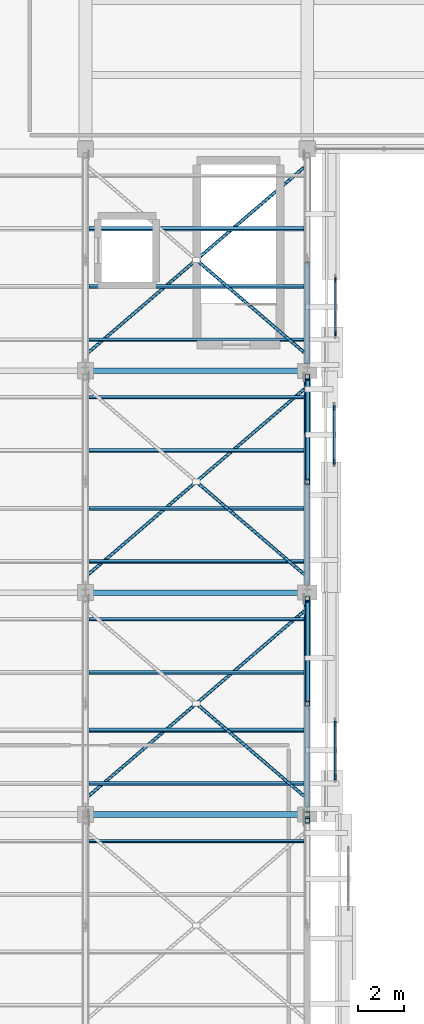
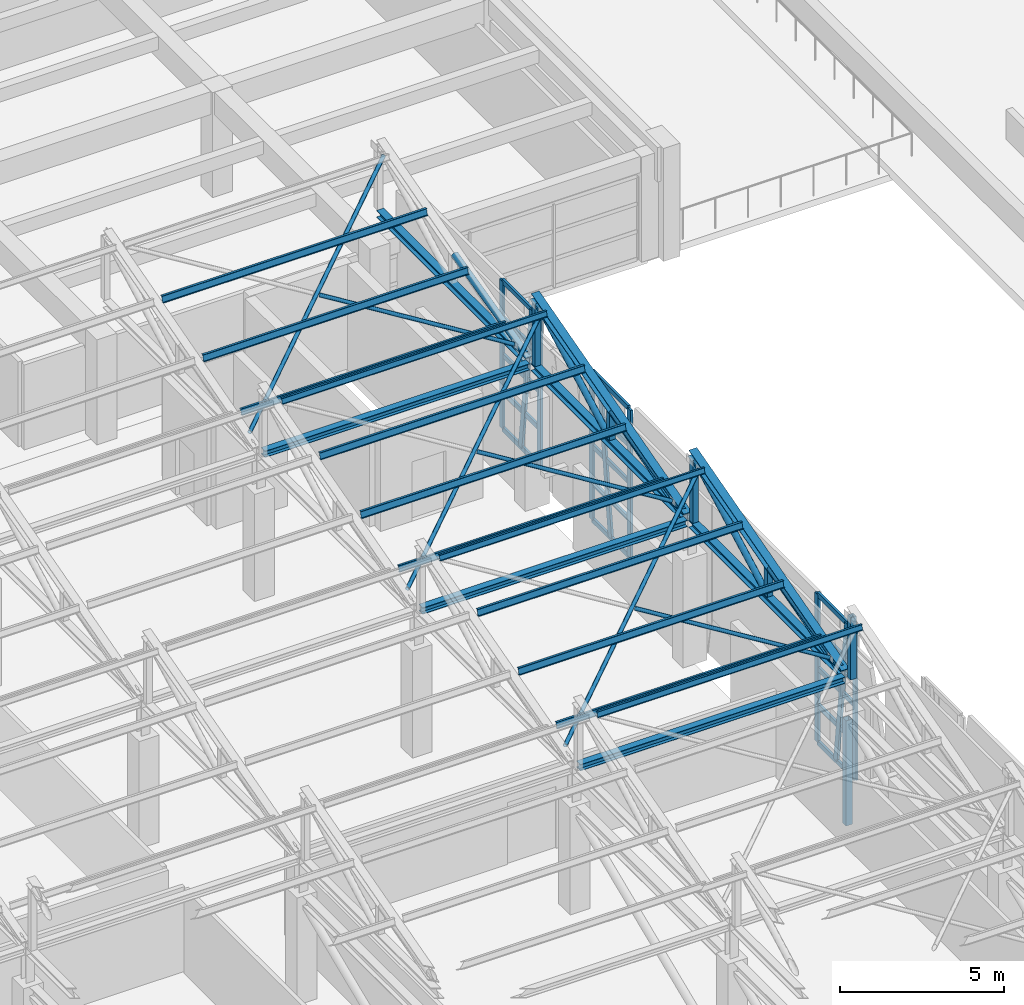
# One storey, part 25 of 71: 58 members, 3 beams, 3 elements without a shape of their own.
"""IFC4 building model written with IfcOpenShell, lengths in metres."""

from ifc_helpers import new_model, si_unit, direction, frame, origin, origin_2d, place, context, subcontext, project, spatial, rectangle, hollow_rectangle, hollow_circle, i_section, extrude, material, layer, layer_set, material_profile, profile_set, type_object, element, aggregate, save


model = new_model("IFC4")

# Units and contexts
model_context = context("Model", 3, precision=1e-05, world=origin(), true_north=direction((0.0, 1.0)))
body_context = subcontext(model_context, "Body", "Model", "MODEL_VIEW")
ifc_project = project(units=[si_unit("LENGTHUNIT", "METRE"), si_unit("AREAUNIT", "SQUARE_METRE"), si_unit("VOLUMEUNIT", "CUBIC_METRE"), si_unit("PLANEANGLEUNIT", "RADIAN"), si_unit("MASSUNIT", "GRAM", prefix="KILO")], contexts=[model_context])

# Site, building, storey
site_placement = place(None, origin())
site = spatial("IfcSite", under=ifc_project, at=site_placement, CompositionType="ELEMENT")
building_placement = place(site_placement, origin())
building = spatial("IfcBuilding", under=site, at=building_placement, Name="Bempovik Park Faculty of Sciences", CompositionType="ELEMENT")
storey_placement = place(building_placement, frame((0.0, 0.0, 14.10009765625)))
storey = spatial("IfcBuildingStorey", under=building, at=storey_placement, Name="L03", CompositionType="ELEMENT", Elevation=14.10009765625)

# Beams
ifc_material_1 = material(Name="Steel S355", Category="steel")
ifc_material_profile_1 = material_profile(ifc_material_1, i_section(OverallWidth=0.239990234375, OverallDepth=0.239990234375, WebThickness=0.010009765625, FlangeThickness=0.01708984375, at=origin_2d()), Name="HEB 240")
ifc_profile_set_1 = profile_set([ifc_material_profile_1], Name="Steel S355")
beam_type = type_object("IfcBeamType", Name="B-042 HEB 240", PredefinedType="BEAM", material=ifc_profile_set_1)
for number, where, z_axis, x_axis, name in (
    (1, (108.14990234375, 39.0, 5.14990234375), (1.0, 0.0, 0.0), (0.0, 1.0, 0.0), "Sawtooth Valley Tie Beam V1-B3 (108.0-117.6)"),
    (2, (108.14990234375, 48.60009765625, 5.14990234375), (1.0, 0.0, 0.0), (0.0, 1.0, 0.0), "Sawtooth Valley Tie Beam V1-B4 (108.0-117.6)"),
    (3, (108.14990234375, 58.199951171875, 5.14990234375), (1.0, 0.0, 0.0), (0.0, 1.0, 0.0), "Sawtooth Valley Tie Beam V1-B5 (108.0-117.6)"),
):
    element("IfcBeam", number, at=place(storey_placement, frame(where, z_axis=z_axis, x_axis=x_axis)), inside=storey, type_object=beam_type, Name=name, PredefinedType="BEAM", context=body_context, shape_type="SweptSolid", body=[
        extrude(i_section(OverallWidth=0.239990234375, OverallDepth=0.239990234375, WebThickness=0.010009765625, FlangeThickness=0.01708984375, at=origin_2d()), origin(), (0.0, 0.0, 1.0), 9.300048828125),
    ])

# Members
ifc_material_profile_2 = material_profile(ifc_material_1, i_section(OverallWidth=0.110107421875, OverallDepth=0.219970703125, WebThickness=0.005859375, FlangeThickness=0.00927734375, at=origin_2d()), Name="IPE 220")
ifc_profile_set_2 = profile_set([ifc_material_profile_2], Name="Steel S355")
member_type_1 = type_object("IfcMemberType", Name="M-18 IPE 220", PredefinedType="PURLIN", material=ifc_profile_set_2)
for number, where, z_axis, x_axis, name in (
    (4, (108.14599609375, 40.343994140625, 5.847412109375), (1.0, 0.0, 0.0), (0.0, 0.965925826289, -0.258819045103), "Sawtooth Roof Purlin V1-B3 (108.0-117.6) #1"),
    (5, (108.14599609375, 49.944091796875, 5.847412109375), (1.0, 0.0, 0.0), (0.0, 0.965925826289, -0.258819045103), "Sawtooth Roof Purlin V1-B4 (108.0-117.6) #1"),
    (6, (108.14599609375, 59.5439453125, 5.847412109375), (1.0, 0.0, 0.0), (0.0, 0.965925826289, -0.258819045103), "Sawtooth Roof Purlin V1-B5 (108.0-117.6) #1"),
):
    element("IfcMember", number, at=place(storey_placement, frame(where, z_axis=z_axis, x_axis=x_axis)), inside=storey, type_object=member_type_1, Name=name, PredefinedType="PURLIN", context=body_context, shape_type="SweptSolid", body=[
        extrude(i_section(OverallWidth=0.110107421875, OverallDepth=0.219970703125, WebThickness=0.005859375, FlangeThickness=0.00927734375, at=origin_2d()), origin(), (0.0, 0.0, 1.0), 9.30810546875),
    ])
ifc_material_profile_3 = material_profile(ifc_material_1, hollow_circle(Radius=0.109619140625, WallThickness=0.010009765625, at=origin_2d()), Name="CHS 219.1x10")
ifc_profile_set_3 = profile_set([ifc_material_profile_3], Name="Steel S355")
member_type_2 = type_object("IfcMemberType", Name="M-22 CHS 219.1x10", PredefinedType="BRACE", material=ifc_profile_set_3)
member_1_placement = place(storey_placement, frame((117.60009765625, 43.905029296875, 5.285888671875), z_axis=(0.0, 0.882187464719, 0.470898372361), x_axis=(-1.0, 0.0, 0.0)))
element("IfcMember", 7, at=member_1_placement, inside=storey, type_object=member_type_2, Name="Sawtooth Web Diagonal 2 V1-B3 (117.6)", PredefinedType="BRACE", context=body_context, shape_type="SweptSolid", body=[
    extrude(hollow_circle(Radius=0.109619140625, WallThickness=0.010009765625, at=origin_2d()), origin(), (0.0, 0.0, 1.0), 4.902587890625),
])
member_2_placement = place(storey_placement, frame((117.60009765625, 53.5048828125, 5.285888671875), z_axis=(0.0, 0.882198506662, 0.470877685651), x_axis=(-1.0, 0.0, 0.0)))
element("IfcMember", 8, at=member_2_placement, inside=storey, type_object=member_type_2, Name="Sawtooth Web Diagonal 2 V1-B4 (117.6)", PredefinedType="BRACE", context=body_context, shape_type="SweptSolid", body=[
    extrude(hollow_circle(Radius=0.109619140625, WallThickness=0.010009765625, at=origin_2d()), origin(), (0.0, 0.0, 1.0), 4.90283203125),
])
ifc_material_profile_4 = material_profile(ifc_material_1, i_section(OverallWidth=0.280029296875, OverallDepth=0.280029296875, WebThickness=0.010498046875, FlangeThickness=0.01806640625, at=origin_2d()), Name="HEB 280")
ifc_profile_set_4 = profile_set([ifc_material_profile_4], Name="Steel S355")
member_type_3 = type_object("IfcMemberType", Name="M-26 HEB 280", PredefinedType="CHORD", material=ifc_profile_set_4)
member_3_placement = place(storey_placement, frame((117.60009765625, 39.156005859375, 5.212158203125), z_axis=(0.0, 0.963725210394, 0.266896457173), x_axis=(-1.0, 0.0, 0.0)))
element("IfcMember", 9, at=member_3_placement, inside=storey, type_object=member_type_3, Name="Sawtooth Top Rafter Chord V1-B3 (117.6)", PredefinedType="CHORD", context=body_context, shape_type="SweptSolid", body=[
    extrude(i_section(OverallWidth=0.280029296875, OverallDepth=0.280029296875, WebThickness=0.010498046875, FlangeThickness=0.01806640625, at=origin_2d()), origin(), (0.0, 0.0, 1.0), 9.6376953125),
])
member_4_placement = place(storey_placement, frame((117.60009765625, 48.756103515625, 5.212158203125), z_axis=(0.0, 0.963723405845, 0.266902973056), x_axis=(-1.0, 0.0, 0.0)))
element("IfcMember", 10, at=member_4_placement, inside=storey, type_object=member_type_3, Name="Sawtooth Top Rafter Chord V1-B4 (117.6)", PredefinedType="CHORD", context=body_context, shape_type="SweptSolid", body=[
    extrude(i_section(OverallWidth=0.280029296875, OverallDepth=0.280029296875, WebThickness=0.010498046875, FlangeThickness=0.01806640625, at=origin_2d()), origin(), (0.0, 0.0, 1.0), 9.637451171875),
])
ifc_material_profile_5 = material_profile(ifc_material_1, hollow_rectangle(XDim=0.219970703125, YDim=0.219970703125, WallThickness=0.010009765625, at=origin_2d()), Name="SHS 220x220x10")
ifc_profile_set_5 = profile_set([ifc_material_profile_5], Name="Steel S355")
member_type_4 = type_object("IfcMemberType", Name="M-32 SHS 220x220x10", PredefinedType="POST", material=ifc_profile_set_5)
member_5_placement = place(storey_placement, frame((117.60009765625, 39.0, -0.294189453125), z_axis=(0.0, 0.0, 1.0), x_axis=(1.0, 0.0, 0.0)))
element("IfcMember", 11, at=member_5_placement, inside=storey, type_object=member_type_4, Name="Cantilever Truss 7 L03 Post 5", PredefinedType="POST", context=body_context, shape_type="SweptSolid", body=[
    extrude(hollow_rectangle(XDim=0.219970703125, YDim=0.219970703125, WallThickness=0.010009765625, at=origin_2d()), origin(), (0.0, 0.0, 1.0), 3.908203125),
])
ifc_material_profile_6 = material_profile(ifc_material_1, hollow_rectangle(XDim=0.199951171875, YDim=0.199951171875, WallThickness=0.010009765625, at=origin_2d()), Name="SHS 200x200x10")
ifc_profile_set_6 = profile_set([ifc_material_profile_6], Name="Steel S355")
member_type_5 = type_object("IfcMemberType", Name="M-44 SHS 200x200x10", PredefinedType="POST", material=ifc_profile_set_6)
for number, where, z_axis, x_axis, name in (
    (12, (117.60009765625, 38.72998046875, 5.285888671875), (0.0, 0.0, 1.0), (1.0, 0.0, 0.0), "Sawtooth North-Light Post V1-B2 (117.6)"),
    (13, (117.60009765625, 48.330078125, 5.285888671875), (0.0, 0.0, 1.0), (1.0, 0.0, 0.0), "Sawtooth North-Light Post V1-B3 (117.6)"),
):
    element("IfcMember", number, at=place(storey_placement, frame(where, z_axis=z_axis, x_axis=x_axis)), inside=storey, type_object=member_type_5, Name=name, PredefinedType="POST", context=body_context, shape_type="SweptSolid", body=[
        extrude(hollow_rectangle(XDim=0.199951171875, YDim=0.199951171875, WallThickness=0.010009765625, at=origin_2d()), origin(), (0.0, 0.0, 1.0), 2.30859375),
    ])
member_6_placement = place(storey_placement, frame((117.60009765625, 43.800048828125, 5.285888671875), z_axis=(0.0, 0.0, 1.0), x_axis=(1.0, 0.0, 0.0)))
element("IfcMember", 14, at=member_6_placement, inside=storey, type_object=member_type_5, Name="Sawtooth Mid Post V1-B3 (117.6)", PredefinedType="POST", context=body_context, shape_type="SweptSolid", body=[
    extrude(hollow_rectangle(XDim=0.199951171875, YDim=0.199951171875, WallThickness=0.010009765625, at=origin_2d()), origin(), (0.0, 0.0, 1.0), 1.052490234375),
])
member_7_placement = place(storey_placement, frame((117.60009765625, 57.929931640625, 5.285888671875), z_axis=(0.0, 0.0, 1.0), x_axis=(1.0, 0.0, 0.0)))
element("IfcMember", 15, at=member_7_placement, inside=storey, type_object=member_type_5, Name="Sawtooth North-Light Post V1-B4 (117.6)", PredefinedType="POST", context=body_context, shape_type="SweptSolid", body=[
    extrude(hollow_rectangle(XDim=0.199951171875, YDim=0.199951171875, WallThickness=0.010009765625, at=origin_2d()), origin(), (0.0, 0.0, 1.0), 2.30859375),
])
member_8_placement = place(storey_placement, frame((117.60009765625, 53.39990234375, 5.285888671875), z_axis=(0.0, 0.0, 1.0), x_axis=(1.0, 0.0, 0.0)))
element("IfcMember", 16, at=member_8_placement, inside=storey, type_object=member_type_5, Name="Sawtooth Mid Post V1-B4 (117.6)", PredefinedType="POST", context=body_context, shape_type="SweptSolid", body=[
    extrude(hollow_rectangle(XDim=0.199951171875, YDim=0.199951171875, WallThickness=0.010009765625, at=origin_2d()), origin(), (0.0, 0.0, 1.0), 1.052490234375),
])
ifc_material_profile_7 = material_profile(ifc_material_1, i_section(OverallWidth=0.10009765625, OverallDepth=0.199951171875, WebThickness=0.005615234375, FlangeThickness=0.008544921875, at=origin_2d()), Name="IPE 200")
ifc_profile_set_7 = profile_set([ifc_material_profile_7], Name="Steel S355")
member_type_6 = type_object("IfcMemberType", Name="M-48 IPE 200", PredefinedType="PURLIN", material=ifc_profile_set_7)
for number, where, z_axis, x_axis, name in (
    (17, (108.14599609375, 37.847900390625, 7.7607421875), (1.0, 0.0, 0.0), (0.0, 0.965925826289, -0.258819045103), "Sawtooth Roof Purlin V1-B2 (108.0-117.6) #4"),
    (18, (108.14599609375, 47.447998046875, 7.7607421875), (1.0, 0.0, 0.0), (0.0, 0.965925826289, -0.258819045103), "Sawtooth Roof Purlin V1-B3 (108.0-117.6) #4"),
    (19, (108.14599609375, 57.048095703125, 7.7607421875), (1.0, 0.0, 0.0), (0.0, 0.965925826289, -0.258819045103), "Sawtooth Roof Purlin V1-B4 (108.0-117.6) #4"),
):
    element("IfcMember", number, at=place(storey_placement, frame(where, z_axis=z_axis, x_axis=x_axis)), inside=storey, type_object=member_type_6, Name=name, PredefinedType="PURLIN", context=body_context, shape_type="SweptSolid", body=[
        extrude(i_section(OverallWidth=0.10009765625, OverallDepth=0.199951171875, WebThickness=0.005615234375, FlangeThickness=0.008544921875, at=origin_2d()), origin(), (0.0, 0.0, 1.0), 9.30810546875),
    ])
ifc_material_profile_8 = material_profile(ifc_material_1, i_section(OverallWidth=0.260009765625, OverallDepth=0.260009765625, WebThickness=0.010009765625, FlangeThickness=0.017578125, at=origin_2d()), Name="HEB 260")
ifc_profile_set_8 = profile_set([ifc_material_profile_8], Name="Steel S355")
member_type_7 = type_object("IfcMemberType", Name="M-58 HEB 260", PredefinedType="CHORD", material=ifc_profile_set_8)
member_9_placement = place(storey_placement, frame((117.60009765625, 39.156005859375, 5.14990234375), z_axis=(0.0, 1.0, 0.0), x_axis=(-1.0, 0.0, 0.0)))
element("IfcMember", 20, at=member_9_placement, inside=storey, type_object=member_type_7, Name="Sawtooth Bottom Chord V1-B3 (117.6)", PredefinedType="CHORD", context=body_context, shape_type="SweptSolid", body=[
    extrude(i_section(OverallWidth=0.260009765625, OverallDepth=0.260009765625, WebThickness=0.010009765625, FlangeThickness=0.017578125, at=origin_2d()), origin(), (0.0, 0.0, 1.0), 9.2880859375),
])
member_10_placement = place(storey_placement, frame((117.60009765625, 48.756103515625, 5.14990234375), z_axis=(0.0, 1.0, 0.0), x_axis=(-1.0, 0.0, 0.0)))
element("IfcMember", 21, at=member_10_placement, inside=storey, type_object=member_type_7, Name="Sawtooth Bottom Chord V1-B4 (117.6)", PredefinedType="CHORD", context=body_context, shape_type="SweptSolid", body=[
    extrude(i_section(OverallWidth=0.260009765625, OverallDepth=0.260009765625, WebThickness=0.010009765625, FlangeThickness=0.017578125, at=origin_2d()), origin(), (0.0, 0.0, 1.0), 9.287841796875),
])
member_11_placement = place(storey_placement, frame((117.60009765625, 58.35595703125, 5.14990234375), z_axis=(0.0, 1.0, 0.0), x_axis=(-1.0, 0.0, 0.0)))
element("IfcMember", 22, at=member_11_placement, inside=storey, type_object=member_type_7, Name="Sawtooth Bottom Chord V1-B5 (117.6)", PredefinedType="CHORD", context=body_context, shape_type="SweptSolid", body=[
    extrude(i_section(OverallWidth=0.260009765625, OverallDepth=0.260009765625, WebThickness=0.010009765625, FlangeThickness=0.017578125, at=origin_2d()), origin(), (0.0, 0.0, 1.0), 9.088134765625),
])
ifc_material_profile_9 = material_profile(ifc_material_1, hollow_circle(Radius=0.122314453125, WallThickness=0.010009765625, at=origin_2d()), Name="CHS 244.5x10")
ifc_profile_set_9 = profile_set([ifc_material_profile_9], Name="Steel S355")
member_type_8 = type_object("IfcMemberType", Name="M-82 CHS 244.5x10", PredefinedType="BRACE", material=ifc_profile_set_9)
for number, where, z_axis, x_axis, name in (
    (23, (117.60009765625, 39.330078125, 5.285888671875), (0.0, 0.972139485331, 0.234403116576), (-1.0, 0.0, 0.0), "Sawtooth Web Diagonal 1 V1-B3 (117.6)"),
    (24, (117.60009765625, 48.929931640625, 5.285888671875), (0.0, 0.972139485331, 0.234403116576), (-1.0, 0.0, 0.0), "Sawtooth Web Diagonal 1 V1-B4 (117.6)"),
    (25, (117.60009765625, 58.530029296875, 5.285888671875), (0.0, 0.972139485331, 0.234403116576), (-1.0, 0.0, 0.0), "Sawtooth Web Diagonal 1 V1-B5 (117.6)"),
):
    element("IfcMember", number, at=place(storey_placement, frame(where, z_axis=z_axis, x_axis=x_axis)), inside=storey, type_object=member_type_8, Name=name, PredefinedType="BRACE", context=body_context, shape_type="SweptSolid", body=[
        extrude(hollow_circle(Radius=0.122314453125, WallThickness=0.010009765625, at=origin_2d()), origin(), (0.0, 0.0, 1.0), 4.489990234375),
    ])
ifc_material_profile_10 = material_profile(ifc_material_1, hollow_circle(Radius=0.06982421875, WallThickness=0.00634765625, at=origin_2d()), Name="CHS 139.7x6.3")
ifc_profile_set_10 = profile_set([ifc_material_profile_10], Name="Steel S355")
member_type_9 = type_object("IfcMemberType", Name="M-83 CHS 139.7x6.3", PredefinedType="BRACE", material=ifc_profile_set_10)
member_12_placement = place(storey_placement, frame((108.139892578125, 39.800048828125, 5.426513671875), z_axis=(0.747498624674, 0.641625014625, 0.171939369306), x_axis=(-0.651324847863, 0.758799013281, 0.0)))
element("IfcMember", 26, at=member_12_placement, inside=storey, type_object=member_type_9, Name="Sawtooth Continuous Roof X-Brace V1-B3 (108.0-117.6)", PredefinedType="BRACE", context=body_context, shape_type="SweptSolid", body=[
    extrude(hollow_circle(Radius=0.06982421875, WallThickness=0.00634765625, at=origin_2d()), origin(), (0.0, 0.0, 1.0), 12.46826171875),
])
member_13_placement = place(storey_placement, frame((112.8671875, 43.7421875, 6.48291015625), z_axis=(0.747509216421, -0.641613401953, -0.17193665636), x_axis=(0.65131274657, 0.758809400413, 0.0)))
element("IfcMember", 27, at=member_13_placement, inside=storey, type_object=member_type_9, Name="Sawtooth Split X-Brace Half B V1-B3 (108.0-117.6)", PredefinedType="BRACE", context=body_context, shape_type="SweptSolid", body=[
    extrude(hollow_circle(Radius=0.06982421875, WallThickness=0.00634765625, at=origin_2d()), origin(), (0.0, 0.0, 1.0), 6.14404296875),
])
member_14_placement = place(storey_placement, frame((108.139892578125, 49.39990234375, 5.426513671875), z_axis=(0.747498624674, 0.641625014625, 0.171939369306), x_axis=(-0.651324847863, 0.758799013281, 0.0)))
element("IfcMember", 28, at=member_14_placement, inside=storey, type_object=member_type_9, Name="Sawtooth Continuous Roof X-Brace V1-B4 (108.0-117.6)", PredefinedType="BRACE", context=body_context, shape_type="SweptSolid", body=[
    extrude(hollow_circle(Radius=0.06982421875, WallThickness=0.00634765625, at=origin_2d()), origin(), (0.0, 0.0, 1.0), 12.46826171875),
])
member_15_placement = place(storey_placement, frame((112.8671875, 53.34228515625, 6.48291015625), z_axis=(0.747490158812, -0.641636778891, -0.171932272867), x_axis=(0.651335971051, 0.758789465408, 0.0)))
element("IfcMember", 29, at=member_15_placement, inside=storey, type_object=member_type_9, Name="Sawtooth Split X-Brace Half B V1-B4 (108.0-117.6)", PredefinedType="BRACE", context=body_context, shape_type="SweptSolid", body=[
    extrude(hollow_circle(Radius=0.06982421875, WallThickness=0.00634765625, at=origin_2d()), origin(), (0.0, 0.0, 1.0), 6.144287109375),
])
member_16_placement = place(storey_placement, frame((108.139892578125, 59.0, 5.426513671875), z_axis=(0.747498624674, 0.641625014625, 0.171939369306), x_axis=(-0.651324847863, 0.758799013281, 0.0)))
element("IfcMember", 30, at=member_16_placement, inside=storey, type_object=member_type_9, Name="Sawtooth Continuous Roof X-Brace V1-B5 (108.0-117.6)", PredefinedType="BRACE", context=body_context, shape_type="SweptSolid", body=[
    extrude(hollow_circle(Radius=0.06982421875, WallThickness=0.00634765625, at=origin_2d()), origin(), (0.0, 0.0, 1.0), 12.46826171875),
])
member_17_placement = place(storey_placement, frame((112.8671875, 62.9423828125, 6.48291015625), z_axis=(0.747490158812, -0.641636778891, -0.171932272867), x_axis=(0.651335971051, 0.758789465408, 0.0)))
element("IfcMember", 31, at=member_17_placement, inside=storey, type_object=member_type_9, Name="Sawtooth Split X-Brace Half B V1-B5 (108.0-117.6)", PredefinedType="BRACE", context=body_context, shape_type="SweptSolid", body=[
    extrude(hollow_circle(Radius=0.06982421875, WallThickness=0.00634765625, at=origin_2d()), origin(), (0.0, 0.0, 1.0), 6.144287109375),
])
ifc_material_profile_11 = material_profile(ifc_material_1, i_section(OverallWidth=0.1201171875, OverallDepth=0.239990234375, WebThickness=0.006103515625, FlangeThickness=0.009765625, at=origin_2d()), Name="IPE 240")
ifc_profile_set_11 = profile_set([ifc_material_profile_11], Name="Steel S355")
member_type_10 = type_object("IfcMemberType", Name="M-86 IPE 240", PredefinedType="PURLIN", material=ifc_profile_set_11)
for number, where, z_axis, x_axis, name in (
    (32, (108.14599609375, 42.64794921875, 6.45458984375), (1.0, 0.0, 0.0), (0.0, 0.965925826289, -0.258819045103), "Sawtooth Roof Purlin V1-B3 (108.0-117.6) #2"),
    (33, (108.14599609375, 45.14404296875, 7.12353515625), (1.0, 0.0, 0.0), (0.0, 0.965925826289, -0.258819045103), "Sawtooth Roof Purlin V1-B3 (108.0-117.6) #3"),
    (34, (108.14599609375, 52.248046875, 6.45458984375), (1.0, 0.0, 0.0), (0.0, 0.965925826289, -0.258819045103), "Sawtooth Roof Purlin V1-B4 (108.0-117.6) #2"),
    (35, (108.14599609375, 54.743896484375, 7.12353515625), (1.0, 0.0, 0.0), (0.0, 0.965925826289, -0.258819045103), "Sawtooth Roof Purlin V1-B4 (108.0-117.6) #3"),
    (36, (108.14599609375, 61.847900390625, 6.45458984375), (1.0, 0.0, 0.0), (0.0, 0.965925826289, -0.258819045103), "Sawtooth Roof Purlin V1-B5 (108.0-117.6) #2"),
    (37, (108.14599609375, 64.343994140625, 7.12353515625), (1.0, 0.0, 0.0), (0.0, 0.965925826289, -0.258819045103), "Sawtooth Roof Purlin V1-B5 (108.0-117.6) #3"),
):
    element("IfcMember", number, at=place(storey_placement, frame(where, z_axis=z_axis, x_axis=x_axis)), inside=storey, type_object=member_type_10, Name=name, PredefinedType="PURLIN", context=body_context, shape_type="SweptSolid", body=[
        extrude(i_section(OverallWidth=0.1201171875, OverallDepth=0.239990234375, WebThickness=0.006103515625, FlangeThickness=0.009765625, at=origin_2d()), origin(), (0.0, 0.0, 1.0), 9.30810546875),
    ])

# Curtain wall, members
ifc_material_2 = material(Name="Tempered laminated low-E glass", Category="glass")
ifc_layer = layer(ifc_material_2, 0.159912109375)
ifc_layer_set = layer_set([ifc_layer], Name="Tempered laminated low-E glass")
curtain_wall_type = type_object("IfcCurtainWallType", Name="CW-33 Curtain 2400x4000", PredefinedType="USERDEFINED", material=ifc_layer_set)
curtain_wall_1_placement = place(storey_placement, origin())
curtain_wall_1 = element("IfcCurtainWall", 38, at=curtain_wall_1_placement, inside=storey, type_object=curtain_wall_type, Name="L03 Crystal Slantwise Light Fold (117.6,39.0)", ObjectType="UNITISED CURTAIN WALL", PredefinedType="USERDEFINED")
ifc_material_3 = material(Name="Anodised architectural bronze", Category="aluminium")
ifc_material_profile_12 = material_profile(ifc_material_3, rectangle(XDim=0.080078125, YDim=0.219970703125, at=origin_2d()), Name="ALU-M 80x220")
ifc_profile_set_12 = profile_set([ifc_material_profile_12], Name="Anodised architectural bronze")
member_type_11 = type_object("IfcMemberType", Name="ML-29 ALU-M 80x220", PredefinedType="MULLION", material=ifc_profile_set_12)
member_18_placement = place(storey_placement, frame((118.8115234375, 40.625, -0.0400390625), z_axis=(0.0, 0.0, 1.0), x_axis=(1.0, 0.0, 0.0)))
member_18 = element("IfcMember", 39, at=member_18_placement, type_object=member_type_11, Name="CW-FOLD-L03-1176-390 Mullion 0", PredefinedType="MULLION", context=body_context, shape_type="SweptSolid", body=[
    extrude(rectangle(XDim=0.080078125, YDim=0.219970703125, at=origin_2d()), origin(), (0.0, 0.0, 1.0), 5.489990234375),
])
member_19_placement = place(storey_placement, frame((118.8115234375, 41.77490234375, -0.0400390625), z_axis=(0.0, -0.122910283031, 0.992417786179), x_axis=(1.0, 0.0, 0.0)))
member_19 = element("IfcMember", 40, at=member_19_placement, type_object=member_type_11, Name="CW-FOLD-L03-1176-390 Mullion 1", PredefinedType="MULLION", context=body_context, shape_type="SweptSolid", body=[
    extrude(rectangle(XDim=0.080078125, YDim=0.219970703125, at=origin_2d()), origin(), (0.0, 0.0, 1.0), 5.531982421875),
])
member_20_placement = place(storey_placement, frame((118.8115234375, 42.925048828125, -0.0400390625), z_axis=(0.0, 0.0, 1.0), x_axis=(1.0, 0.0, 0.0)))
member_20 = element("IfcMember", 41, at=member_20_placement, type_object=member_type_11, Name="CW-FOLD-L03-1176-390 Mullion 2", PredefinedType="MULLION", context=body_context, shape_type="SweptSolid", body=[
    extrude(rectangle(XDim=0.080078125, YDim=0.219970703125, at=origin_2d()), origin(), (0.0, 0.0, 1.0), 5.489990234375),
])

curtain_wall_2_placement = place(storey_placement, origin())
curtain_wall_2 = element("IfcCurtainWall", 42, at=curtain_wall_2_placement, inside=storey, type_object=curtain_wall_type, Name="L03 Crystal Slantwise Light Fold (117.6,48.6)", ObjectType="UNITISED CURTAIN WALL", PredefinedType="USERDEFINED")
member_21_placement = place(storey_placement, frame((118.7734375, 54.27490234375, -0.0400390625), z_axis=(0.0, 0.0, 1.0), x_axis=(1.0, 0.0, 0.0)))
member_21 = element("IfcMember", 43, at=member_21_placement, type_object=member_type_11, Name="CW-FOLD-L03-1176-486 Mullion 0", PredefinedType="MULLION", context=body_context, shape_type="SweptSolid", body=[
    extrude(rectangle(XDim=0.080078125, YDim=0.219970703125, at=origin_2d()), origin(), (0.0, 0.0, 1.0), 5.489990234375),
])
member_22_placement = place(storey_placement, frame((118.7734375, 55.425048828125, -0.0400390625), z_axis=(0.0, 0.122910283031, 0.992417786179), x_axis=(-1.0, 0.0, 0.0)))
member_22 = element("IfcMember", 44, at=member_22_placement, type_object=member_type_11, Name="CW-FOLD-L03-1176-486 Mullion 1", PredefinedType="MULLION", context=body_context, shape_type="SweptSolid", body=[
    extrude(rectangle(XDim=0.080078125, YDim=0.219970703125, at=origin_2d()), origin(), (0.0, 0.0, 1.0), 5.531982421875),
])
member_23_placement = place(storey_placement, frame((118.7734375, 56.574951171875, -0.0400390625), z_axis=(0.0, 0.0, 1.0), x_axis=(1.0, 0.0, 0.0)))
member_23 = element("IfcMember", 45, at=member_23_placement, type_object=member_type_11, Name="CW-FOLD-L03-1176-486 Mullion 2", PredefinedType="MULLION", context=body_context, shape_type="SweptSolid", body=[
    extrude(rectangle(XDim=0.080078125, YDim=0.219970703125, at=origin_2d()), origin(), (0.0, 0.0, 1.0), 5.489990234375),
])

curtain_wall_3_placement = place(storey_placement, origin())
curtain_wall_3 = element("IfcCurtainWall", 46, at=curtain_wall_3_placement, inside=storey, type_object=curtain_wall_type, Name="L03 Crystal Slantwise Light Fold (117.6,58.2)", ObjectType="UNITISED CURTAIN WALL", PredefinedType="USERDEFINED")
member_24_placement = place(storey_placement, frame((118.821044921875, 59.824951171875, -0.0400390625), z_axis=(0.0, 0.0, 1.0), x_axis=(1.0, 0.0, 0.0)))
member_24 = element("IfcMember", 47, at=member_24_placement, type_object=member_type_11, Name="CW-FOLD-L03-1176-582 Mullion 0", PredefinedType="MULLION", context=body_context, shape_type="SweptSolid", body=[
    extrude(rectangle(XDim=0.080078125, YDim=0.219970703125, at=origin_2d()), origin(), (0.0, 0.0, 1.0), 5.489990234375),
])
member_25_placement = place(storey_placement, frame((118.821044921875, 60.97509765625, -0.0400390625), z_axis=(0.0, -0.122953748919, 0.992412401992), x_axis=(1.0, 0.0, 0.0)))
member_25 = element("IfcMember", 48, at=member_25_placement, type_object=member_type_11, Name="CW-FOLD-L03-1176-582 Mullion 1", PredefinedType="MULLION", context=body_context, shape_type="SweptSolid", body=[
    extrude(rectangle(XDim=0.080078125, YDim=0.219970703125, at=origin_2d()), origin(), (0.0, 0.0, 1.0), 5.531982421875),
])
member_26_placement = place(storey_placement, frame((118.821044921875, 62.125, -0.0400390625), z_axis=(0.0, 0.0, 1.0), x_axis=(1.0, 0.0, 0.0)))
member_26 = element("IfcMember", 49, at=member_26_placement, type_object=member_type_11, Name="CW-FOLD-L03-1176-582 Mullion 2", PredefinedType="MULLION", context=body_context, shape_type="SweptSolid", body=[
    extrude(rectangle(XDim=0.080078125, YDim=0.219970703125, at=origin_2d()), origin(), (0.0, 0.0, 1.0), 5.489990234375),
])

# Member
ifc_material_profile_13 = material_profile(ifc_material_3, rectangle(XDim=0.080078125, YDim=0.179931640625, at=origin_2d()), Name="ALU-T 80x180")
ifc_profile_set_13 = profile_set([ifc_material_profile_13], Name="Anodised architectural bronze")
member_type_12 = type_object("IfcMemberType", Name="TR-29 ALU-T 80x180", PredefinedType="USERDEFINED", material=ifc_profile_set_13)
member_27_placement = place(storey_placement, frame((118.8115234375, 40.6650390625, -0.0400390625), z_axis=(0.0, 1.0, 0.0), x_axis=(-1.0, 0.0, 0.0)))
member_27 = element("IfcMember", 50, at=member_27_placement, type_object=member_type_12, Name="CW-FOLD-L03-1176-390 Transom 0", ObjectType="TRANSOM", PredefinedType="USERDEFINED", context=body_context, shape_type="SweptSolid", body=[
    extrude(rectangle(XDim=0.080078125, YDim=0.179931640625, at=origin_2d()), origin(), (0.0, 0.0, 1.0), 2.219970703125),
])

member_28_placement = place(storey_placement, frame((118.8115234375, 40.6650390625, 1.33251953125), z_axis=(0.0, 1.0, 0.0), x_axis=(-1.0, 0.0, 0.0)))
member_28 = element("IfcMember", 51, at=member_28_placement, type_object=member_type_12, Name="CW-FOLD-L03-1176-390 Transom 1", ObjectType="TRANSOM", PredefinedType="USERDEFINED", context=body_context, shape_type="SweptSolid", body=[
    extrude(rectangle(XDim=0.080078125, YDim=0.179931640625, at=origin_2d()), origin(), (0.0, 0.0, 1.0), 2.219970703125),
])

member_29_placement = place(storey_placement, frame((118.8115234375, 40.6650390625, 2.704833984375), z_axis=(0.0, 1.0, 0.0), x_axis=(-1.0, 0.0, 0.0)))
member_29 = element("IfcMember", 52, at=member_29_placement, type_object=member_type_12, Name="CW-FOLD-L03-1176-390 Transom 2", ObjectType="TRANSOM", PredefinedType="USERDEFINED", context=body_context, shape_type="SweptSolid", body=[
    extrude(rectangle(XDim=0.080078125, YDim=0.179931640625, at=origin_2d()), origin(), (0.0, 0.0, 1.0), 2.219970703125),
])

member_30_placement = place(storey_placement, frame((118.8115234375, 40.6650390625, 4.077392578125), z_axis=(0.0, 1.0, 0.0), x_axis=(-1.0, 0.0, 0.0)))
member_30 = element("IfcMember", 53, at=member_30_placement, type_object=member_type_12, Name="CW-FOLD-L03-1176-390 Transom 3", ObjectType="TRANSOM", PredefinedType="USERDEFINED", context=body_context, shape_type="SweptSolid", body=[
    extrude(rectangle(XDim=0.080078125, YDim=0.179931640625, at=origin_2d()), origin(), (0.0, 0.0, 1.0), 2.219970703125),
])

member_31_placement = place(storey_placement, frame((118.8115234375, 40.6650390625, 5.449951171875), z_axis=(0.0, 1.0, 0.0), x_axis=(-1.0, 0.0, 0.0)))
member_31 = element("IfcMember", 54, at=member_31_placement, type_object=member_type_12, Name="CW-FOLD-L03-1176-390 Transom 4", ObjectType="TRANSOM", PredefinedType="USERDEFINED", context=body_context, shape_type="SweptSolid", body=[
    extrude(rectangle(XDim=0.080078125, YDim=0.179931640625, at=origin_2d()), origin(), (0.0, 0.0, 1.0), 2.219970703125),
])

aggregate(curtain_wall_1, [member_18, member_19, member_20, member_27, member_28, member_29, member_30, member_31])

member_32_placement = place(storey_placement, frame((118.7734375, 54.31494140625, -0.0400390625), z_axis=(0.0, 1.0, 0.0), x_axis=(-1.0, 0.0, 0.0)))
member_32 = element("IfcMember", 55, at=member_32_placement, type_object=member_type_12, Name="CW-FOLD-L03-1176-486 Transom 0", ObjectType="TRANSOM", PredefinedType="USERDEFINED", context=body_context, shape_type="SweptSolid", body=[
    extrude(rectangle(XDim=0.080078125, YDim=0.179931640625, at=origin_2d()), origin(), (0.0, 0.0, 1.0), 2.219970703125),
])

member_33_placement = place(storey_placement, frame((118.7734375, 54.31494140625, 1.33251953125), z_axis=(0.0, 1.0, 0.0), x_axis=(-1.0, 0.0, 0.0)))
member_33 = element("IfcMember", 56, at=member_33_placement, type_object=member_type_12, Name="CW-FOLD-L03-1176-486 Transom 1", ObjectType="TRANSOM", PredefinedType="USERDEFINED", context=body_context, shape_type="SweptSolid", body=[
    extrude(rectangle(XDim=0.080078125, YDim=0.179931640625, at=origin_2d()), origin(), (0.0, 0.0, 1.0), 2.219970703125),
])

member_34_placement = place(storey_placement, frame((118.7734375, 54.31494140625, 2.704833984375), z_axis=(0.0, 1.0, 0.0), x_axis=(-1.0, 0.0, 0.0)))
member_34 = element("IfcMember", 57, at=member_34_placement, type_object=member_type_12, Name="CW-FOLD-L03-1176-486 Transom 2", ObjectType="TRANSOM", PredefinedType="USERDEFINED", context=body_context, shape_type="SweptSolid", body=[
    extrude(rectangle(XDim=0.080078125, YDim=0.179931640625, at=origin_2d()), origin(), (0.0, 0.0, 1.0), 2.219970703125),
])

member_35_placement = place(storey_placement, frame((118.7734375, 54.31494140625, 4.077392578125), z_axis=(0.0, 1.0, 0.0), x_axis=(-1.0, 0.0, 0.0)))
member_35 = element("IfcMember", 58, at=member_35_placement, type_object=member_type_12, Name="CW-FOLD-L03-1176-486 Transom 3", ObjectType="TRANSOM", PredefinedType="USERDEFINED", context=body_context, shape_type="SweptSolid", body=[
    extrude(rectangle(XDim=0.080078125, YDim=0.179931640625, at=origin_2d()), origin(), (0.0, 0.0, 1.0), 2.219970703125),
])

member_36_placement = place(storey_placement, frame((118.7734375, 54.31494140625, 5.449951171875), z_axis=(0.0, 1.0, 0.0), x_axis=(-1.0, 0.0, 0.0)))
member_36 = element("IfcMember", 59, at=member_36_placement, type_object=member_type_12, Name="CW-FOLD-L03-1176-486 Transom 4", ObjectType="TRANSOM", PredefinedType="USERDEFINED", context=body_context, shape_type="SweptSolid", body=[
    extrude(rectangle(XDim=0.080078125, YDim=0.179931640625, at=origin_2d()), origin(), (0.0, 0.0, 1.0), 2.219970703125),
])

aggregate(curtain_wall_2, [member_21, member_22, member_23, member_32, member_33, member_34, member_35, member_36])

member_37_placement = place(storey_placement, frame((118.821044921875, 59.864990234375, -0.0400390625), z_axis=(0.0, 1.0, 0.0), x_axis=(-1.0, 0.0, 0.0)))
member_37 = element("IfcMember", 60, at=member_37_placement, type_object=member_type_12, Name="CW-FOLD-L03-1176-582 Transom 0", ObjectType="TRANSOM", PredefinedType="USERDEFINED", context=body_context, shape_type="SweptSolid", body=[
    extrude(rectangle(XDim=0.080078125, YDim=0.179931640625, at=origin_2d()), origin(), (0.0, 0.0, 1.0), 2.219970703125),
])

member_38_placement = place(storey_placement, frame((118.821044921875, 59.864990234375, 1.33251953125), z_axis=(0.0, 1.0, 0.0), x_axis=(-1.0, 0.0, 0.0)))
member_38 = element("IfcMember", 61, at=member_38_placement, type_object=member_type_12, Name="CW-FOLD-L03-1176-582 Transom 1", ObjectType="TRANSOM", PredefinedType="USERDEFINED", context=body_context, shape_type="SweptSolid", body=[
    extrude(rectangle(XDim=0.080078125, YDim=0.179931640625, at=origin_2d()), origin(), (0.0, 0.0, 1.0), 2.219970703125),
])

member_39_placement = place(storey_placement, frame((118.821044921875, 59.864990234375, 2.704833984375), z_axis=(0.0, 1.0, 0.0), x_axis=(-1.0, 0.0, 0.0)))
member_39 = element("IfcMember", 62, at=member_39_placement, type_object=member_type_12, Name="CW-FOLD-L03-1176-582 Transom 2", ObjectType="TRANSOM", PredefinedType="USERDEFINED", context=body_context, shape_type="SweptSolid", body=[
    extrude(rectangle(XDim=0.080078125, YDim=0.179931640625, at=origin_2d()), origin(), (0.0, 0.0, 1.0), 2.219970703125),
])

member_40_placement = place(storey_placement, frame((118.821044921875, 59.864990234375, 4.077392578125), z_axis=(0.0, 1.0, 0.0), x_axis=(-1.0, 0.0, 0.0)))
member_40 = element("IfcMember", 63, at=member_40_placement, type_object=member_type_12, Name="CW-FOLD-L03-1176-582 Transom 3", ObjectType="TRANSOM", PredefinedType="USERDEFINED", context=body_context, shape_type="SweptSolid", body=[
    extrude(rectangle(XDim=0.080078125, YDim=0.179931640625, at=origin_2d()), origin(), (0.0, 0.0, 1.0), 2.219970703125),
])

member_41_placement = place(storey_placement, frame((118.821044921875, 59.864990234375, 5.449951171875), z_axis=(0.0, 1.0, 0.0), x_axis=(-1.0, 0.0, 0.0)))
member_41 = element("IfcMember", 64, at=member_41_placement, type_object=member_type_12, Name="CW-FOLD-L03-1176-582 Transom 4", ObjectType="TRANSOM", PredefinedType="USERDEFINED", context=body_context, shape_type="SweptSolid", body=[
    extrude(rectangle(XDim=0.080078125, YDim=0.179931640625, at=origin_2d()), origin(), (0.0, 0.0, 1.0), 2.219970703125),
])

aggregate(curtain_wall_3, [member_24, member_25, member_26, member_37, member_38, member_39, member_40, member_41])

save(model, "model.ifc")
